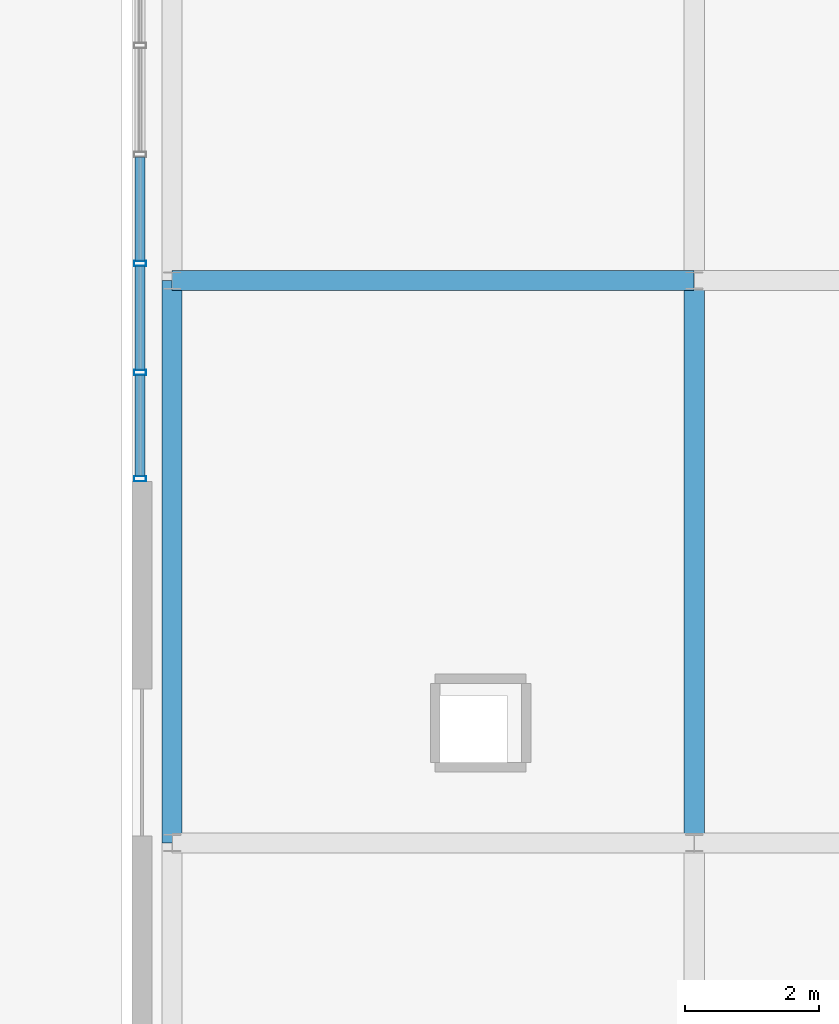
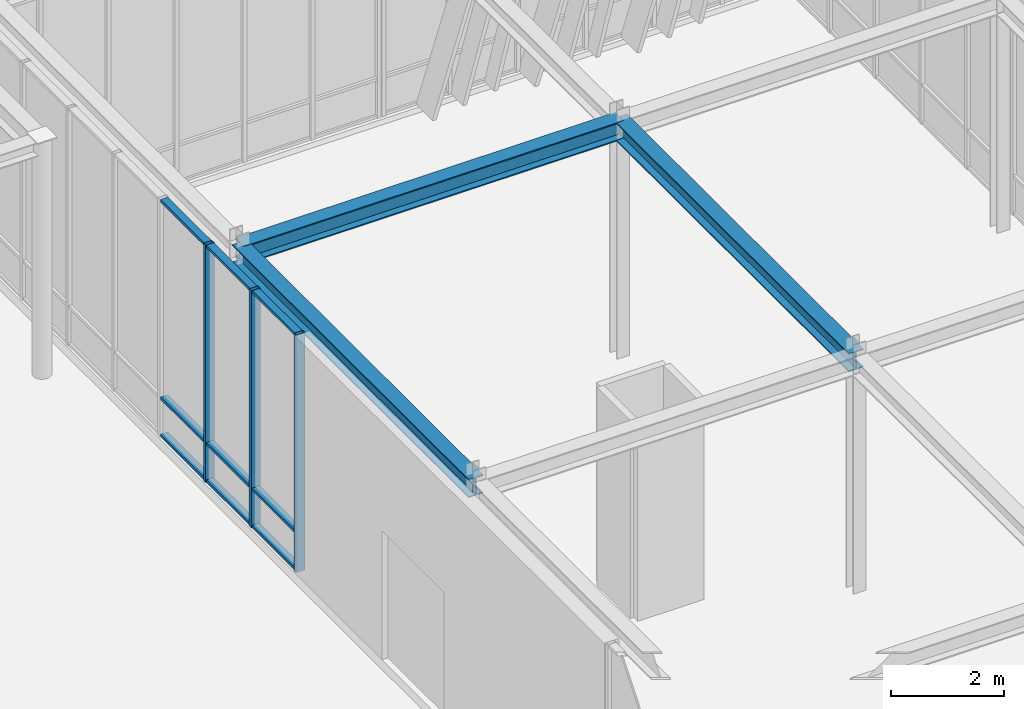
# One storey, part 21 of 122: 12 members, 3 beams, 1 element without a shape of its own.
"""IFC4 building model written with IfcOpenShell, lengths in metres."""

from ifc_helpers import new_model, si_unit, direction, frame, origin, origin_2d, place, context, subcontext, project, spatial, hollow_rectangle, i_section, extrude, material, layer, layer_set, material_profile, profile_set, type_object, element, aggregate, save


model = new_model("IFC4")

# Units and contexts
model_context = context("Model", 3, precision=1e-05, world=origin(), true_north=direction((0.0, 1.0)))
body_context = subcontext(model_context, "Body", "Model", "MODEL_VIEW")
ifc_project = project(units=[si_unit("LENGTHUNIT", "METRE"), si_unit("AREAUNIT", "SQUARE_METRE"), si_unit("VOLUMEUNIT", "CUBIC_METRE"), si_unit("PLANEANGLEUNIT", "RADIAN"), si_unit("MASSUNIT", "GRAM", prefix="KILO")], contexts=[model_context])

# Site, building, storey
site_placement = place(None, origin())
site = spatial("IfcSite", under=ifc_project, at=site_placement, CompositionType="ELEMENT")
building_placement = place(site_placement, origin())
building = spatial("IfcBuilding", under=site, at=building_placement, Name="Zayran Congress Hotel", CompositionType="ELEMENT")
storey_placement = place(building_placement, origin())
storey = spatial("IfcBuildingStorey", under=building, at=storey_placement, Name="L00", CompositionType="ELEMENT", Elevation=0.0)

# Beams
ifc_material_1 = material(Name="Steel S355", Category="steel")
ifc_material_profile_1 = material_profile(ifc_material_1, i_section(OverallWidth=0.300048828125, OverallDepth=0.39990234375, WebThickness=0.013427734375, FlangeThickness=0.02392578125, at=origin_2d()), Name="HEB 400")
ifc_profile_set_1 = profile_set([ifc_material_profile_1], Name="Steel S355")
beam_type = type_object("IfcBeamType", Name="TP-BM-10", PredefinedType="BEAM", material=ifc_profile_set_1)
beam_placement = place(storey_placement, frame((76.199951171875, 59.199951171875, 4.949951171875), z_axis=(1.0, 0.0, 0.0), x_axis=(0.0, 1.0, 0.0)))
element("IfcBeam", 1, at=beam_placement, inside=storey, type_object=beam_type, Name="BM-BR2-L00-2444", PredefinedType="BEAM", context=body_context, shape_type="SweptSolid", body=[
    extrude(i_section(OverallWidth=0.300048828125, OverallDepth=0.39990234375, WebThickness=0.013427734375, FlangeThickness=0.02392578125, at=origin_2d()), origin(), (0.0, 0.0, 1.0), 7.800048828125),
])
for number, where, z_axis, x_axis, name in (
    (2, (76.199951171875, 50.800048828125, 4.949951171875), (0.0, 1.0, 0.0), (-1.0, 0.0, 0.0), "BM-BR2Y-L00-2448"),
    (3, (84.0, 50.800048828125, 4.949951171875), (0.0, 1.0, 0.0), (-1.0, 0.0, 0.0), "BM-BR2Y-L00-2452"),
):
    element("IfcBeam", number, at=place(storey_placement, frame(where, z_axis=z_axis, x_axis=x_axis)), inside=storey, type_object=beam_type, Name=name, PredefinedType="BEAM", context=body_context, shape_type="SweptSolid", body=[
        extrude(i_section(OverallWidth=0.300048828125, OverallDepth=0.39990234375, WebThickness=0.013427734375, FlangeThickness=0.02392578125, at=origin_2d()), origin(), (0.0, 0.0, 1.0), 8.39990234375),
    ])

# Curtain wall, members
ifc_material_2 = material(Name="Anodised aluminium and low-E insulated glass", Category="aluminium")
ifc_layer = layer(ifc_material_2, 0.179931640625)
ifc_layer_set = layer_set([ifc_layer], Name="Anodised aluminium and low-E insulated glass")
curtain_wall_type = type_object("IfcCurtainWallType", Name="CW-BR2-L00-CW-BR2-11400-5150", PredefinedType="USERDEFINED", material=ifc_layer_set)
curtain_wall_placement = place(storey_placement, origin())
curtain_wall = element("IfcCurtainWall", 4, at=curtain_wall_placement, inside=storey, type_object=curtain_wall_type, Name="CW-BR2W-L00-2", ObjectType="CURTAIN WALL", PredefinedType="USERDEFINED")
ifc_material_3 = material(Name="Anodised aluminium framing", Category="aluminium")
ifc_material_profile_2 = material_profile(ifc_material_3, hollow_rectangle(XDim=0.080078125, YDim=0.179931640625, WallThickness=0.0048828125, at=origin_2d()), Name="RHS 180x80x5")
ifc_profile_set_2 = profile_set([ifc_material_profile_2], Name="Anodised aluminium framing")
member_type_1 = type_object("IfcMemberType", Name="TP-CWM-01", PredefinedType="MULLION", material=ifc_profile_set_2)
member_1_placement = place(storey_placement, frame((75.719970703125, 59.45703125, 0.0), z_axis=(0.0, 0.0, 1.0), x_axis=(0.0, 1.0, 0.0)))
member_1 = element("IfcMember", 5, at=member_1_placement, type_object=member_type_1, Name="CW-BR2W-L00-2-M05", PredefinedType="MULLION", context=body_context, shape_type="SweptSolid", body=[
    extrude(hollow_rectangle(XDim=0.080078125, YDim=0.179931640625, WallThickness=0.0048828125, at=origin_2d()), origin(), (0.0, 0.0, 1.0), 5.14990234375),
])
member_2_placement = place(storey_placement, frame((75.719970703125, 57.82861328125, 0.0), z_axis=(0.0, 0.0, 1.0), x_axis=(0.0, 1.0, 0.0)))
member_2 = element("IfcMember", 6, at=member_2_placement, type_object=member_type_1, Name="CW-BR2W-L00-2-M06", PredefinedType="MULLION", context=body_context, shape_type="SweptSolid", body=[
    extrude(hollow_rectangle(XDim=0.080078125, YDim=0.179931640625, WallThickness=0.0048828125, at=origin_2d()), origin(), (0.0, 0.0, 1.0), 5.14990234375),
])
member_3_placement = place(storey_placement, frame((75.719970703125, 56.239990234375, 0.0), z_axis=(0.0, 0.0, 1.0), x_axis=(0.0, 1.0, 0.0)))
member_3 = element("IfcMember", 7, at=member_3_placement, type_object=member_type_1, Name="CW-BR2W-L00-2-M07", PredefinedType="MULLION", context=body_context, shape_type="SweptSolid", body=[
    extrude(hollow_rectangle(XDim=0.080078125, YDim=0.179931640625, WallThickness=0.0048828125, at=origin_2d()), origin(), (0.0, 0.0, 1.0), 5.14990234375),
])
ifc_material_profile_3 = material_profile(ifc_material_3, hollow_rectangle(XDim=0.06005859375, YDim=0.14990234375, WallThickness=0.00390625, at=origin_2d()), Name="RHS 150x60x4")
ifc_profile_set_3 = profile_set([ifc_material_profile_3], Name="Anodised aluminium framing")
member_type_2 = type_object("IfcMemberType", Name="TP-CWT-01", PredefinedType="USERDEFINED", material=ifc_profile_set_3)
member_4_placement = place(storey_placement, frame((75.719970703125, 61.045654296875, 0.030029296875), z_axis=(0.0, -1.0, 0.0), x_axis=(0.0, 0.0, 1.0)))
member_4 = element("IfcMember", 8, at=member_4_placement, type_object=member_type_2, Name="CW-BR2W-L00-2-T04-0", ObjectType="TRANSOM", PredefinedType="USERDEFINED", context=body_context, shape_type="SweptSolid", body=[
    extrude(hollow_rectangle(XDim=0.06005859375, YDim=0.14990234375, WallThickness=0.00390625, at=origin_2d()), origin(), (0.0, 0.0, 1.0), 1.548583984375),
])
member_5_placement = place(storey_placement, frame((75.719970703125, 61.045654296875, 0.840087890625), z_axis=(0.0, -1.0, 0.0), x_axis=(0.0, 0.0, 1.0)))
member_5 = element("IfcMember", 9, at=member_5_placement, type_object=member_type_2, Name="CW-BR2W-L00-2-T04-1", ObjectType="TRANSOM", PredefinedType="USERDEFINED", context=body_context, shape_type="SweptSolid", body=[
    extrude(hollow_rectangle(XDim=0.06005859375, YDim=0.14990234375, WallThickness=0.00390625, at=origin_2d()), origin(), (0.0, 0.0, 1.0), 1.548583984375),
])
member_6_placement = place(storey_placement, frame((75.719970703125, 61.045654296875, 5.1201171875), z_axis=(0.0, -1.0, 0.0), x_axis=(0.0, 0.0, 1.0)))
member_6 = element("IfcMember", 10, at=member_6_placement, type_object=member_type_2, Name="CW-BR2W-L00-2-T04-2", ObjectType="TRANSOM", PredefinedType="USERDEFINED", context=body_context, shape_type="SweptSolid", body=[
    extrude(hollow_rectangle(XDim=0.06005859375, YDim=0.14990234375, WallThickness=0.00390625, at=origin_2d()), origin(), (0.0, 0.0, 1.0), 1.548583984375),
])
member_7_placement = place(storey_placement, frame((75.719970703125, 59.4169921875, 0.030029296875), z_axis=(0.0, -1.0, 0.0), x_axis=(0.0, 0.0, 1.0)))
member_7 = element("IfcMember", 11, at=member_7_placement, type_object=member_type_2, Name="CW-BR2W-L00-2-T05-0", ObjectType="TRANSOM", PredefinedType="USERDEFINED", context=body_context, shape_type="SweptSolid", body=[
    extrude(hollow_rectangle(XDim=0.06005859375, YDim=0.14990234375, WallThickness=0.00390625, at=origin_2d()), origin(), (0.0, 0.0, 1.0), 1.54833984375),
])
member_8_placement = place(storey_placement, frame((75.719970703125, 59.4169921875, 0.840087890625), z_axis=(0.0, -1.0, 0.0), x_axis=(0.0, 0.0, 1.0)))
member_8 = element("IfcMember", 12, at=member_8_placement, type_object=member_type_2, Name="CW-BR2W-L00-2-T05-1", ObjectType="TRANSOM", PredefinedType="USERDEFINED", context=body_context, shape_type="SweptSolid", body=[
    extrude(hollow_rectangle(XDim=0.06005859375, YDim=0.14990234375, WallThickness=0.00390625, at=origin_2d()), origin(), (0.0, 0.0, 1.0), 1.54833984375),
])
member_9_placement = place(storey_placement, frame((75.719970703125, 59.4169921875, 5.1201171875), z_axis=(0.0, -1.0, 0.0), x_axis=(0.0, 0.0, 1.0)))
member_9 = element("IfcMember", 13, at=member_9_placement, type_object=member_type_2, Name="CW-BR2W-L00-2-T05-2", ObjectType="TRANSOM", PredefinedType="USERDEFINED", context=body_context, shape_type="SweptSolid", body=[
    extrude(hollow_rectangle(XDim=0.06005859375, YDim=0.14990234375, WallThickness=0.00390625, at=origin_2d()), origin(), (0.0, 0.0, 1.0), 1.54833984375),
])
member_10_placement = place(storey_placement, frame((75.719970703125, 57.78857421875, 0.030029296875), z_axis=(0.0, -1.0, 0.0), x_axis=(0.0, 0.0, 1.0)))
member_10 = element("IfcMember", 14, at=member_10_placement, type_object=member_type_2, Name="CW-BR2W-L00-2-T06-0", ObjectType="TRANSOM", PredefinedType="USERDEFINED", context=body_context, shape_type="SweptSolid", body=[
    extrude(hollow_rectangle(XDim=0.06005859375, YDim=0.14990234375, WallThickness=0.00390625, at=origin_2d()), origin(), (0.0, 0.0, 1.0), 1.508544921875),
])
member_11_placement = place(storey_placement, frame((75.719970703125, 57.78857421875, 0.840087890625), z_axis=(0.0, -1.0, 0.0), x_axis=(0.0, 0.0, 1.0)))
member_11 = element("IfcMember", 15, at=member_11_placement, type_object=member_type_2, Name="CW-BR2W-L00-2-T06-1", ObjectType="TRANSOM", PredefinedType="USERDEFINED", context=body_context, shape_type="SweptSolid", body=[
    extrude(hollow_rectangle(XDim=0.06005859375, YDim=0.14990234375, WallThickness=0.00390625, at=origin_2d()), origin(), (0.0, 0.0, 1.0), 1.508544921875),
])
member_12_placement = place(storey_placement, frame((75.719970703125, 57.78857421875, 5.1201171875), z_axis=(0.0, -1.0, 0.0), x_axis=(0.0, 0.0, 1.0)))
member_12 = element("IfcMember", 16, at=member_12_placement, type_object=member_type_2, Name="CW-BR2W-L00-2-T06-2", ObjectType="TRANSOM", PredefinedType="USERDEFINED", context=body_context, shape_type="SweptSolid", body=[
    extrude(hollow_rectangle(XDim=0.06005859375, YDim=0.14990234375, WallThickness=0.00390625, at=origin_2d()), origin(), (0.0, 0.0, 1.0), 1.508544921875),
])
aggregate(curtain_wall, [member_1, member_2, member_3, member_4, member_5, member_6, member_7, member_8, member_9, member_10, member_11, member_12])

save(model, "model.ifc")
